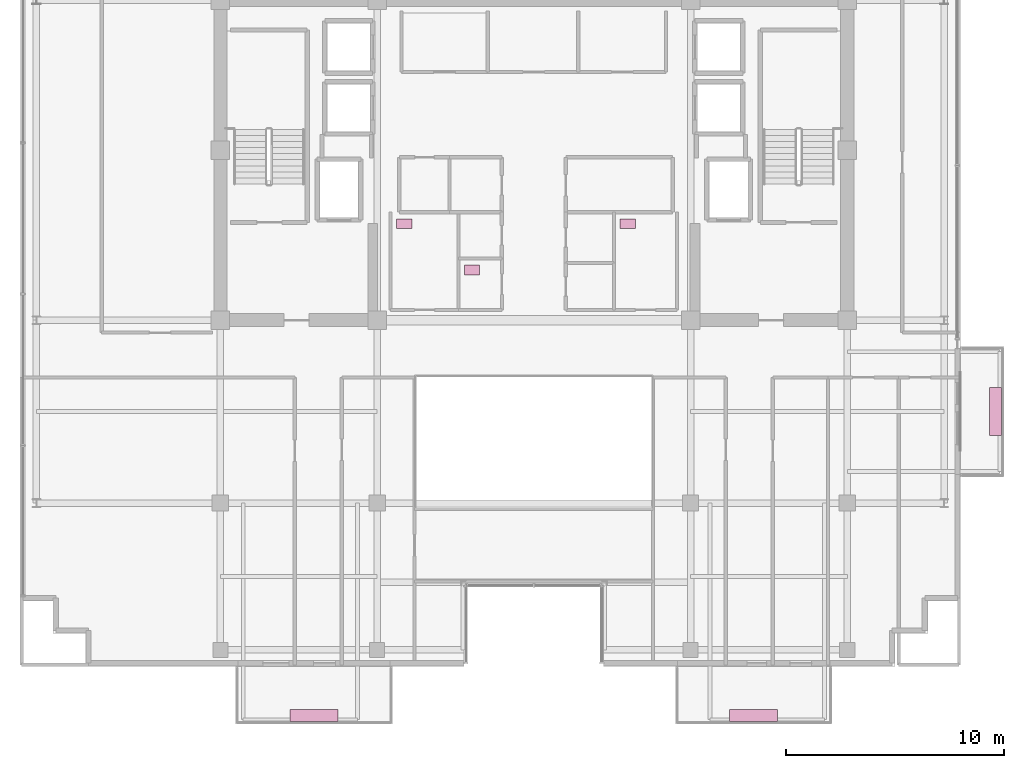
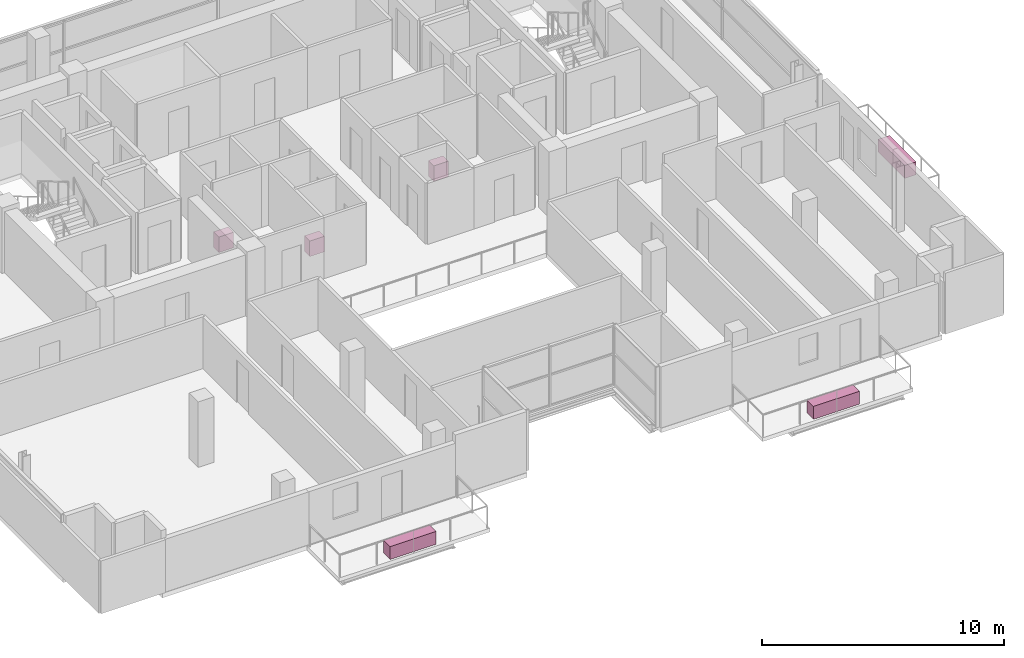
# One storey, part 22 of 22: 6 furnishings.
"""IFC4 building model written with IfcOpenShell, lengths in metres."""

from ifc_helpers import new_model, si_unit, direction, frame, origin, origin_2d, place, context, subcontext, project, spatial, rectangle, extrude, source, transform, mapped, material, type_object, element, save


model = new_model("IFC4")

# Units and contexts
model_context = context("Model", 3, precision=1e-05, world=origin(), true_north=direction((0.0, 1.0)))
body_context = subcontext(model_context, "Body", "Model", "MODEL_VIEW")
ifc_project = project(units=[si_unit("LENGTHUNIT", "METRE"), si_unit("AREAUNIT", "SQUARE_METRE"), si_unit("VOLUMEUNIT", "CUBIC_METRE"), si_unit("PLANEANGLEUNIT", "RADIAN"), si_unit("MASSUNIT", "GRAM", prefix="KILO")], contexts=[model_context])

# Site, building, storey
site_placement = place(None, origin())
site = spatial("IfcSite", under=ifc_project, at=site_placement, CompositionType="ELEMENT")
building_placement = place(site_placement, origin())
building = spatial("IfcBuilding", under=site, at=building_placement, Name="Zarnakvel Exchange Tower", CompositionType="ELEMENT")
storey_placement = place(building_placement, frame((0.0, 0.0, 225.39990234375)))
storey = spatial("IfcBuildingStorey", under=building, at=storey_placement, Name="L63", CompositionType="ELEMENT", Elevation=225.39990234375)

# Furnishings
ifc_material_1 = material(Name="Architectural Bronze Anodised Aluminium", Category="aluminium")
furnishing_element_type_1 = type_object("IfcFurnishingElementType", Name="PLNT-01", material=ifc_material_1)
shared_shape_1 = source(origin(), body_context, "Body", "SweptSolid", [
    extrude(rectangle(XDim=2.199951171875, YDim=0.550048828125, at=origin_2d()), origin(), (0.0, 0.0, 1.0), 0.64990234375),
])
for number, where, z_axis, x_axis, name in (
    (1, (-10.10009765625, -19.3701171875, -0.034912109375), (0.0, 0.0, 1.0), (1.0, 0.0, 0.0), "L63 Balcony Greenery Planter BAL-L63-SW"),
    (2, (10.10009765625, -19.3701171875, -0.034912109375), (0.0, 0.0, 1.0), (1.0, 0.0, 0.0), "L63 Balcony Greenery Planter BAL-L63-SE"),
    (3, (21.219970703125, -5.39990234375, -0.034912109375), (0.0, 0.0, 1.0), (0.0, 1.0, 0.0), "L63 Balcony Greenery Planter BAL-L63-E"),
):
    element("IfcFurnishingElement", number, at=place(storey_placement, frame(where, z_axis=z_axis, x_axis=x_axis)), inside=storey, type_object=furnishing_element_type_1, Name=name, ObjectType="PLANTER", context=body_context, shape_type="MappedRepresentation", body=[
        mapped(shared_shape_1, transform((0.0, 0.0, 0.0), x_axis=(1.0, 0.0, 0.0), y_axis=(0.0, 1.0, 0.0), z_axis=(0.0, 0.0, 1.0), scale=1.0)),
    ])
ifc_material_2 = material(Name="Vitreous China Sanitaryware", Category="ceramic")
furnishing_element_type_2 = type_object("IfcFurnishingElementType", Name="SAN-WC", material=ifc_material_2)
shared_shape_2 = source(origin(), body_context, "Body", "SweptSolid", [
    extrude(rectangle(XDim=0.699951171875, YDim=0.449951171875, at=origin_2d()), origin(), (0.0, 0.0, 1.0), 0.780029296875),
])
for number, where, z_axis, x_axis, name in (
    (4, (-5.949951171875, 3.22998046875, 0.0), (0.0, 0.0, 1.0), (1.0, 0.0, 0.0), "L63 Sanitary Fixture (Male Toilet)"),
    (5, (-2.840087890625, 1.10009765625, 0.0), (0.0, 0.0, 1.0), (1.0, 0.0, 0.0), "L63 Sanitary Fixture (Accessible Toilet)"),
    (6, (4.31005859375, 3.22998046875, 0.0), (0.0, 0.0, 1.0), (1.0, 0.0, 0.0), "L63 Sanitary Fixture (Female Toilet)"),
):
    element("IfcFurnishingElement", number, at=place(storey_placement, frame(where, z_axis=z_axis, x_axis=x_axis)), inside=storey, type_object=furnishing_element_type_2, Name=name, ObjectType="SANITARY_FIXTURE", context=body_context, shape_type="MappedRepresentation", body=[
        mapped(shared_shape_2, transform((0.0, 0.0, 0.0), x_axis=(1.0, 0.0, 0.0), y_axis=(0.0, 1.0, 0.0), z_axis=(0.0, 0.0, 1.0), scale=1.0)),
    ])

save(model, "model.ifc")
